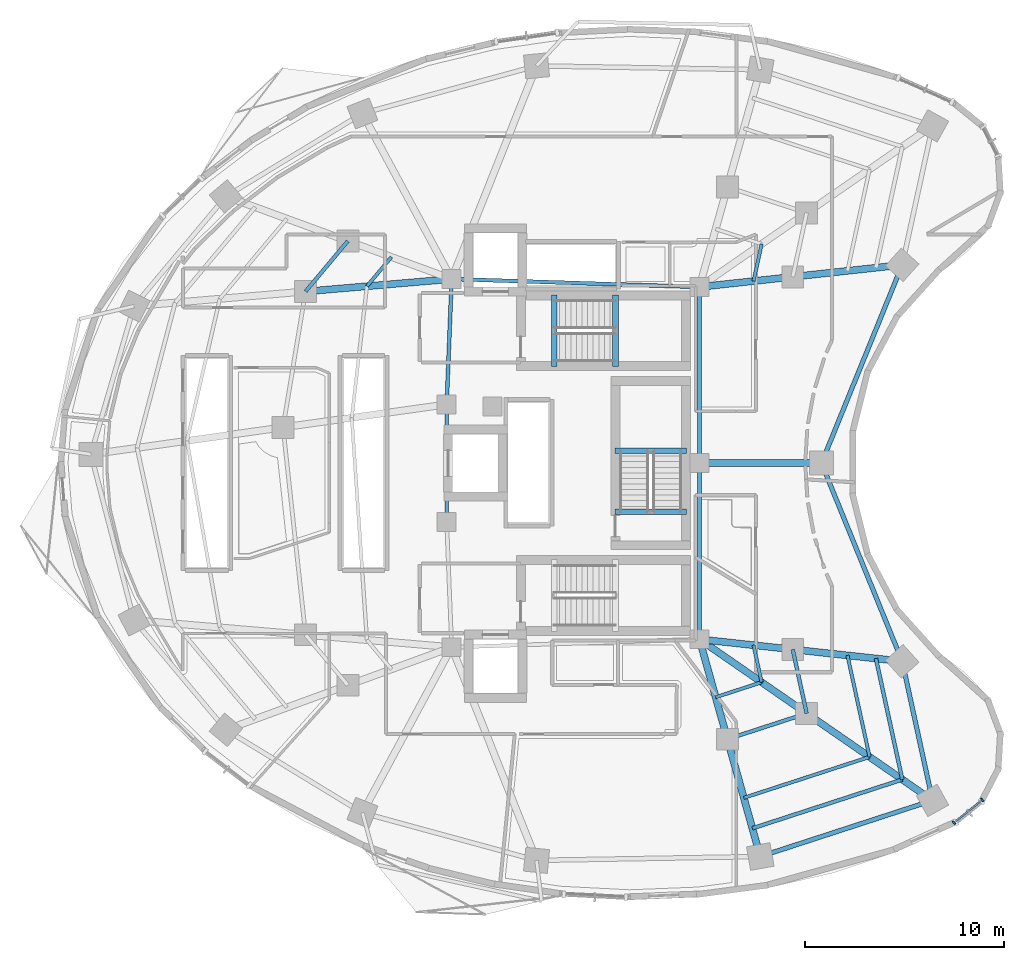
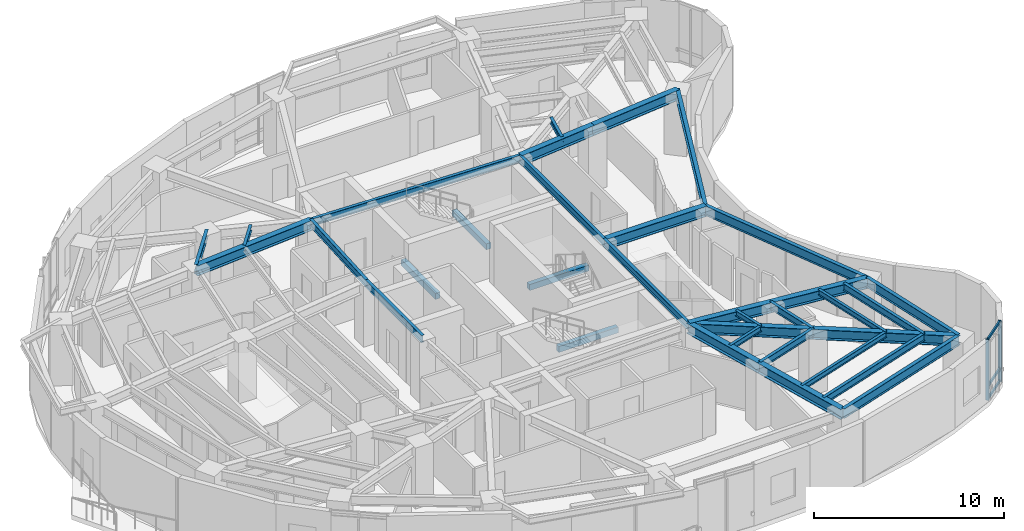
# One storey, part 3 of 14: 34 beams, 5 members, 1 element without a shape of its own.
"""IFC4 building model written with IfcOpenShell, lengths in metres."""

from ifc_helpers import new_model, si_unit, direction, frame, origin, origin_2d, place, context, subcontext, project, spatial, rectangle, i_section, extrude, material, layer, layer_set, material_profile, profile_set, type_object, element, aggregate, save


model = new_model("IFC4")

# Units and contexts
model_context = context("Model", 3, precision=1e-05, world=origin(), true_north=direction((0.0, 1.0)))
body_context = subcontext(model_context, "Body", "Model", "MODEL_VIEW")
ifc_project = project(units=[si_unit("LENGTHUNIT", "METRE"), si_unit("AREAUNIT", "SQUARE_METRE"), si_unit("VOLUMEUNIT", "CUBIC_METRE"), si_unit("PLANEANGLEUNIT", "RADIAN"), si_unit("MASSUNIT", "GRAM", prefix="KILO")], contexts=[model_context])

# Site, building, storey
site_placement = place(None, origin())
site = spatial("IfcSite", under=ifc_project, at=site_placement, CompositionType="ELEMENT")
building_placement = place(site_placement, origin())
building = spatial("IfcBuilding", under=site, at=building_placement, Name="Korentha Bioscience Tower", CompositionType="ELEMENT")
storey_placement = place(building_placement, frame((0.0, 0.0, 90.0)))
storey = spatial("IfcBuildingStorey", under=building, at=storey_placement, Name="L20", CompositionType="ELEMENT", Elevation=90.0)

# Beams
ifc_material_1 = material(Name="Concrete C50", Category="concrete")
ifc_material_profile_1 = material_profile(ifc_material_1, rectangle(XDim=0.280029296875, YDim=0.3798828125, at=origin_2d()), Name="Concrete C50")
ifc_profile_set_1 = profile_set([ifc_material_profile_1], Name="Concrete C50 (ST-HB380)")
beam_type_1 = type_object("IfcBeamType", Name="Concrete Stair Header Beam RC 280x380", PredefinedType="BEAM", material=ifc_profile_set_1)
for number, where, z_axis, x_axis, name in (
    (1, (30.25, 31.85009765625, -0.18994140625), (0.0, 1.0, 0.0), (-1.0, 0.0, 0.0), "L20 ST-1 Concrete Stair Header Beam"),
    (2, (33.330078125, 31.85009765625, 1.909912109375), (0.0, 1.0, 0.0), (-1.0, 0.0, 0.0), "L20 ST-1 Half-Landing Header Beam 1"),
    (3, (36.89990234375, 24.550048828125, -0.18994140625), (-1.0, 0.0, 0.0), (0.0, -1.0, 0.0), "L20 ST-3 Concrete Stair Header Beam"),
    (4, (36.89990234375, 27.6298828125, 1.909912109375), (-1.0, 0.0, 0.0), (0.0, -1.0, 0.0), "L20 ST-3 Half-Landing Header Beam 1"),
):
    element("IfcBeam", number, at=place(storey_placement, frame(where, z_axis=z_axis, x_axis=x_axis)), inside=storey, type_object=beam_type_1, Name=name, PredefinedType="BEAM", context=body_context, shape_type="SweptSolid", body=[
        extrude(rectangle(XDim=0.280029296875, YDim=0.3798828125, at=origin_2d()), origin(), (0.0, 0.0, 1.0), 3.599853515625),
    ])
ifc_material_2 = material(Name="Steel S355", Category="steel")
ifc_material_profile_2 = material_profile(ifc_material_2, i_section(OverallWidth=0.18994140625, OverallDepth=0.45703125, WebThickness=0.009033203125, FlangeThickness=0.014404296875, at=origin_2d()), Name="Steel S355")
ifc_profile_set_2 = profile_set([ifc_material_profile_2], Name="Steel S355 (MB-460)")
beam_type_2 = type_object("IfcBeamType", Name="Mid-Ring Tie Girder W460x74", PredefinedType="BEAM", material=ifc_profile_set_2)
beam_1_placement = place(storey_placement, frame((19.882568359375, 38.158935546875, 3.67138671875), z_axis=(-0.642121371708, -0.766602989817, 0.0), x_axis=(0.766602989817, -0.642121371708, 0.0)))
element("IfcBeam", 5, at=beam_1_placement, inside=storey, type_object=beam_type_2, Name="L20 Mid-Ring Tie Girder 05", PredefinedType="BEAM", context=body_context, shape_type="SweptSolid", body=[
    extrude(i_section(OverallWidth=0.18994140625, OverallDepth=0.45703125, WebThickness=0.009033203125, FlangeThickness=0.014404296875, at=origin_2d()), origin(), (0.0, 0.0, 1.0), 3.306640625),
])
beam_2_placement = place(storey_placement, frame((38.954833984375, 13.129150390625, 3.67138671875), z_axis=(0.95087582253, 0.309572560361, 0.0), x_axis=(-0.309572560361, 0.95087582253, 0.0)))
element("IfcBeam", 6, at=beam_2_placement, inside=storey, type_object=beam_type_2, Name="L20 Mid-Ring Tie Girder 12", PredefinedType="BEAM", context=body_context, shape_type="SweptSolid", body=[
    extrude(i_section(OverallWidth=0.18994140625, OverallDepth=0.45703125, WebThickness=0.009033203125, FlangeThickness=0.014404296875, at=origin_2d()), origin(), (0.0, 0.0, 1.0), 4.186767578125),
])
beam_3_placement = place(storey_placement, frame((42.93603515625, 14.42529296875, 3.67138671875), z_axis=(-0.212928773299, 0.977067724112, 0.0), x_axis=(-0.977067724112, -0.212928773299, 0.0)))
element("IfcBeam", 7, at=beam_3_placement, inside=storey, type_object=beam_type_2, Name="L20 Mid-Ring Tie Girder 13", PredefinedType="BEAM", context=body_context, shape_type="SweptSolid", body=[
    extrude(i_section(OverallWidth=0.18994140625, OverallDepth=0.45703125, WebThickness=0.009033203125, FlangeThickness=0.014404296875, at=origin_2d()), origin(), (0.0, 0.0, 1.0), 3.28955078125),
])
beam_4_placement = place(storey_placement, frame((37.550048828125, 35.85009765625, 3.67138671875), z_axis=(-0.999484526071, 0.032104238723, 0.0), x_axis=(-0.032104238723, -0.999484526071, 0.0)))
element("IfcBeam", 8, at=beam_4_placement, inside=storey, type_object=beam_type_2, Name="L20 Core Ring Tie Girder 01", PredefinedType="BEAM", context=body_context, shape_type="SweptSolid", body=[
    extrude(i_section(OverallWidth=0.18994140625, OverallDepth=0.45703125, WebThickness=0.009033203125, FlangeThickness=0.014404296875, at=origin_2d()), origin(), (0.0, 0.0, 1.0), 12.456298828125),
])
beam_5_placement = place(storey_placement, frame((25.10009765625, 36.25, 3.67138671875), z_axis=(-0.039651025576, -0.999213588864, 0.0), x_axis=(0.999213588864, -0.039651025576, 0.0)))
element("IfcBeam", 9, at=beam_5_placement, inside=storey, type_object=beam_type_2, Name="L20 Core Ring Tie Girder 02", PredefinedType="BEAM", context=body_context, shape_type="SweptSolid", body=[
    extrude(i_section(OverallWidth=0.18994140625, OverallDepth=0.45703125, WebThickness=0.009033203125, FlangeThickness=0.014404296875, at=origin_2d()), origin(), (0.0, 0.0, 1.0), 6.304931640625),
])
beam_6_placement = place(storey_placement, frame((24.85009765625, 29.949951171875, 3.67138671875), z_axis=(0.0, -1.0, 0.0), x_axis=(1.0, 0.0, 0.0)))
element("IfcBeam", 10, at=beam_6_placement, inside=storey, type_object=beam_type_2, Name="L20 Core Ring Tie Girder 03", PredefinedType="BEAM", context=body_context, shape_type="SweptSolid", body=[
    extrude(i_section(OverallWidth=0.18994140625, OverallDepth=0.45703125, WebThickness=0.009033203125, FlangeThickness=0.014404296875, at=origin_2d()), origin(), (0.0, 0.0, 1.0), 5.89990234375),
])
for number, where, z_axis, x_axis, name in (
    (11, (37.550048828125, 18.14990234375, 3.67138671875), (0.0, 1.0, 0.0), (-1.0, 0.0, 0.0), "L20 Core Ring Tie Girder 06"),
    (12, (37.550048828125, 27.0, 3.67138671875), (0.0, 1.0, 0.0), (-1.0, 0.0, 0.0), "L20 Core Ring Tie Girder 07"),
):
    element("IfcBeam", number, at=place(storey_placement, frame(where, z_axis=z_axis, x_axis=x_axis)), inside=storey, type_object=beam_type_2, Name=name, PredefinedType="BEAM", context=body_context, shape_type="SweptSolid", body=[
        extrude(i_section(OverallWidth=0.18994140625, OverallDepth=0.45703125, WebThickness=0.009033203125, FlangeThickness=0.014404296875, at=origin_2d()), origin(), (0.0, 0.0, 1.0), 8.85009765625),
    ])

# Curtain wall, members
ifc_material_3 = material(Name="Thermally Broken Aluminium Frame", Category="aluminium")
ifc_layer = layer(ifc_material_3, 0.219970703125, Name="Thermally Broken Aluminium Frame")
ifc_layer_set = layer_set([ifc_layer], Name="Thermally Broken Aluminium Frame (CW-T2)")
curtain_wall_type = type_object("IfcCurtainWallType", Name="Solar-Screened Lab Unitised Curtain Wall CW-T2", PredefinedType="USERDEFINED", material=ifc_layer_set)
curtain_wall_placement = place(storey_placement, origin())
curtain_wall = element("IfcCurtainWall", 13, at=curtain_wall_placement, inside=storey, type_object=curtain_wall_type, Name="L20 Curtain Wall 37", ObjectType="UNITISED", PredefinedType="USERDEFINED")
ifc_material_4 = material(Name="Anodised Aluminium 6063-T6", Category="aluminium")
ifc_material_profile_3 = material_profile(ifc_material_4, rectangle(XDim=0.090087890625, YDim=0.199951171875, at=origin_2d()), Name="Anodised Aluminium 6063-T6")
ifc_profile_set_3 = profile_set([ifc_material_profile_3], Name="Anodised Aluminium 6063-T6 (CW-MUL)")
member_type_1 = type_object("IfcMemberType", Name="Mullion RECT 90x200", PredefinedType="MULLION", material=ifc_profile_set_3)
member_1_placement = place(storey_placement, frame((50.337158203125, 8.931884765625, 0.0), z_axis=(0.0, 0.0, 1.0), x_axis=(0.777315301098, 0.629111216463, 0.0)))
member_1 = element("IfcMember", 14, at=member_1_placement, type_object=member_type_1, Name="CW-L20-37 Mullion 1", PredefinedType="MULLION", context=body_context, shape_type="SweptSolid", body=[
    extrude(rectangle(XDim=0.090087890625, YDim=0.199951171875, at=origin_2d()), origin(), (0.0, 0.0, 1.0), 3.89990234375),
])
member_2_placement = place(storey_placement, frame((51.7578125, 10.08154296875, 0.0), z_axis=(0.0, 0.0, 1.0), x_axis=(0.777315301098, 0.629111216463, 0.0)))
member_2 = element("IfcMember", 15, at=member_2_placement, type_object=member_type_1, Name="CW-L20-37 Mullion 2", PredefinedType="MULLION", context=body_context, shape_type="SweptSolid", body=[
    extrude(rectangle(XDim=0.090087890625, YDim=0.199951171875, at=origin_2d()), origin(), (0.0, 0.0, 1.0), 3.89990234375),
])

# Beams
ifc_material_profile_4 = material_profile(ifc_material_2, i_section(OverallWidth=0.22802734375, OverallDepth=0.60791015625, WebThickness=0.01123046875, FlangeThickness=0.017333984375, at=origin_2d()), Name="Steel S355")
ifc_profile_set_4 = profile_set([ifc_material_profile_4], Name="Steel S355 (SB-610)")
beam_type_3 = type_object("IfcBeamType", Name="Perimeter Ring Spandrel Girder W610x113", PredefinedType="SPANDREL", material=ifc_profile_set_4)
beam_7_placement = place(storey_placement, frame((40.604248046875, 7.235107421875, 3.595947265625), z_axis=(0.950867758759, 0.309597327755, 0.0), x_axis=(-0.309597327755, 0.950867758759, 0.0)))
element("IfcBeam", 16, at=beam_7_placement, inside=storey, type_object=beam_type_3, Name="L20 Perimeter Spandrel Girder 12", PredefinedType="SPANDREL", context=body_context, shape_type="SweptSolid", body=[
    extrude(i_section(OverallWidth=0.22802734375, OverallDepth=0.60791015625, WebThickness=0.01123046875, FlangeThickness=0.017333984375, at=origin_2d()), origin(), (0.0, 0.0, 1.0), 9.101806640625),
])
beam_8_placement = place(storey_placement, frame((49.2587890625, 10.052978515625, 3.595947265625), z_axis=(-0.212927102256, 0.977068088275, 0.0), x_axis=(-0.977068088275, -0.212927102256, 0.0)))
element("IfcBeam", 17, at=beam_8_placement, inside=storey, type_object=beam_type_3, Name="L20 Perimeter Spandrel Girder 13", PredefinedType="SPANDREL", context=body_context, shape_type="SweptSolid", body=[
    extrude(i_section(OverallWidth=0.22802734375, OverallDepth=0.60791015625, WebThickness=0.01123046875, FlangeThickness=0.017333984375, at=origin_2d()), origin(), (0.0, 0.0, 1.0), 7.1513671875),
])
for number, where, z_axis, x_axis, name in (
    (18, (47.736083984375, 17.040283203125, 3.595947265625), (-0.37709856037, 0.926173134876, 0.0), (-0.926173134876, -0.37709856037, 0.0), "L20 Perimeter Spandrel Girder 14"),
    (19, (43.680908203125, 27.0, 3.595947265625), (0.37709856037, 0.926173134876, 0.0), (-0.926173134876, 0.37709856037, 0.0), "L20 Perimeter Spandrel Girder 15"),
):
    element("IfcBeam", number, at=place(storey_placement, frame(where, z_axis=z_axis, x_axis=x_axis)), inside=storey, type_object=beam_type_3, Name=name, PredefinedType="SPANDREL", context=body_context, shape_type="SweptSolid", body=[
        extrude(i_section(OverallWidth=0.22802734375, OverallDepth=0.60791015625, WebThickness=0.01123046875, FlangeThickness=0.017333984375, at=origin_2d()), origin(), (0.0, 0.0, 1.0), 10.753662109375),
    ])
ifc_material_profile_5 = material_profile(ifc_material_2, i_section(OverallWidth=0.18994140625, OverallDepth=0.45703125, WebThickness=0.009033203125, FlangeThickness=0.014404296875, at=origin_2d()), Name="Steel S355")
ifc_profile_set_5 = profile_set([ifc_material_profile_5], Name="Steel S355 (RB-460)")
beam_type_4 = type_object("IfcBeamType", Name="Radial Laboratory Beam W460x74", PredefinedType="BEAM", material=ifc_profile_set_5)
beam_9_placement = place(storey_placement, frame((40.20849609375, 8.64990234375, 3.67138671875), z_axis=(0.950866789802, 0.3096003037, 0.0), x_axis=(-0.3096003037, 0.950866789802, 0.0)))
element("IfcBeam", 20, at=beam_9_placement, inside=storey, type_object=beam_type_4, Name="L20 Secondary Floor Beam JSTO-12", PredefinedType="BEAM", context=body_context, shape_type="SweptSolid", body=[
    extrude(i_section(OverallWidth=0.18994140625, OverallDepth=0.45703125, WebThickness=0.009033203125, FlangeThickness=0.014404296875, at=origin_2d()), origin(), (0.0, 0.0, 1.0), 7.921875),
])
beam_10_placement = place(storey_placement, frame((47.7412109375, 11.1025390625, 3.67138671875), z_axis=(-0.21290837934, 0.977072168269, 0.0), x_axis=(-0.977072168269, -0.21290837934, 0.0)))
element("IfcBeam", 21, at=beam_10_placement, inside=storey, type_object=beam_type_4, Name="L20 Secondary Floor Beam JSTO-13", PredefinedType="BEAM", context=body_context, shape_type="SweptSolid", body=[
    extrude(i_section(OverallWidth=0.18994140625, OverallDepth=0.45703125, WebThickness=0.009033203125, FlangeThickness=0.014404296875, at=origin_2d()), origin(), (0.0, 0.0, 1.0), 6.224365234375),
])
ifc_material_profile_6 = material_profile(ifc_material_2, i_section(OverallWidth=0.35009765625, OverallDepth=0.64990234375, WebThickness=0.01611328125, FlangeThickness=0.02490234375, at=origin_2d()), Name="Steel S355")
ifc_profile_set_6 = profile_set([ifc_material_profile_6], Name="Steel S355 (RB-650)")
beam_type_5 = type_object("IfcBeamType", Name="Radial Laboratory Girder CVS 650x208", PredefinedType="BEAM", material=ifc_profile_set_6)
beam_11_placement = place(storey_placement, frame((25.10009765625, 36.25, 3.574951171875), z_axis=(-0.996383934197, -0.084965026183, 0.0), x_axis=(0.084965026183, -0.996383934197, 0.0)))
element("IfcBeam", 22, at=beam_11_placement, inside=storey, type_object=beam_type_5, Name="L20 Inner Radial Girder 06", PredefinedType="BEAM", context=body_context, shape_type="SweptSolid", body=[
    extrude(i_section(OverallWidth=0.35009765625, OverallDepth=0.64990234375, WebThickness=0.01611328125, FlangeThickness=0.02490234375, at=origin_2d()), origin(), (0.0, 0.0, 1.0), 7.367431640625),
])
beam_12_placement = place(storey_placement, frame((37.550048828125, 18.14990234375, 3.574951171875), z_axis=(0.269447542125, -0.96301506844, 0.0), x_axis=(0.96301506844, 0.269447542125, 0.0)))
element("IfcBeam", 23, at=beam_12_placement, inside=storey, type_object=beam_type_5, Name="L20 Inner Radial Girder 12", PredefinedType="BEAM", context=body_context, shape_type="SweptSolid", body=[
    extrude(i_section(OverallWidth=0.35009765625, OverallDepth=0.64990234375, WebThickness=0.01611328125, FlangeThickness=0.02490234375, at=origin_2d()), origin(), (0.0, 0.0, 1.0), 5.213623046875),
])
beam_13_placement = place(storey_placement, frame((38.954833984375, 13.129150390625, 3.574951171875), z_axis=(0.269490843458, -0.963002951861, 0.0), x_axis=(0.963002951861, 0.269490843458, 0.0)))
element("IfcBeam", 24, at=beam_13_placement, inside=storey, type_object=beam_type_5, Name="L20 Outer Radial Girder 12", PredefinedType="BEAM", context=body_context, shape_type="SweptSolid", body=[
    extrude(i_section(OverallWidth=0.35009765625, OverallDepth=0.64990234375, WebThickness=0.01611328125, FlangeThickness=0.02490234375, at=origin_2d()), origin(), (0.0, 0.0, 1.0), 6.120361328125),
])
beam_14_placement = place(storey_placement, frame((37.550048828125, 18.14990234375, 3.574951171875), z_axis=(0.822488699387, -0.568781451333, 0.0), x_axis=(0.568781451333, 0.822488699387, 0.0)))
element("IfcBeam", 25, at=beam_14_placement, inside=storey, type_object=beam_type_5, Name="L20 Inner Radial Girder 13", PredefinedType="BEAM", context=body_context, shape_type="SweptSolid", body=[
    extrude(i_section(OverallWidth=0.35009765625, OverallDepth=0.64990234375, WebThickness=0.01611328125, FlangeThickness=0.02490234375, at=origin_2d()), origin(), (0.0, 0.0, 1.0), 6.54833984375),
])
beam_15_placement = place(storey_placement, frame((42.93603515625, 14.42529296875, 3.574951171875), z_axis=(0.822495056204, -0.568772258922, 0.0), x_axis=(0.568772258922, 0.822495056204, 0.0)))
element("IfcBeam", 26, at=beam_15_placement, inside=storey, type_object=beam_type_5, Name="L20 Outer Radial Girder 13", PredefinedType="BEAM", context=body_context, shape_type="SweptSolid", body=[
    extrude(i_section(OverallWidth=0.35009765625, OverallDepth=0.64990234375, WebThickness=0.01611328125, FlangeThickness=0.02490234375, at=origin_2d()), origin(), (0.0, 0.0, 1.0), 7.687255859375),
])
beam_16_placement = place(storey_placement, frame((37.550048828125, 18.14990234375, 3.574951171875), z_axis=(0.994117092476, -0.108310694058, 0.0), x_axis=(0.108310694058, 0.994117092476, 0.0)))
element("IfcBeam", 27, at=beam_16_placement, inside=storey, type_object=beam_type_5, Name="L20 Inner Radial Girder 14", PredefinedType="BEAM", context=body_context, shape_type="SweptSolid", body=[
    extrude(i_section(OverallWidth=0.35009765625, OverallDepth=0.64990234375, WebThickness=0.01611328125, FlangeThickness=0.02490234375, at=origin_2d()), origin(), (0.0, 0.0, 1.0), 4.71337890625),
])
beam_17_placement = place(storey_placement, frame((42.235595703125, 17.639404296875, 3.574951171875), z_axis=(0.994120325557, -0.108281015487, 0.0), x_axis=(0.108281015487, 0.994120325557, 0.0)))
element("IfcBeam", 28, at=beam_17_placement, inside=storey, type_object=beam_type_5, Name="L20 Outer Radial Girder 14", PredefinedType="BEAM", context=body_context, shape_type="SweptSolid", body=[
    extrude(i_section(OverallWidth=0.35009765625, OverallDepth=0.64990234375, WebThickness=0.01611328125, FlangeThickness=0.02490234375, at=origin_2d()), origin(), (0.0, 0.0, 1.0), 5.532958984375),
])
beam_18_placement = place(storey_placement, frame((37.550048828125, 27.0, 3.574951171875), z_axis=(1.0, 0.0, 0.0), x_axis=(0.0, 1.0, 0.0)))
element("IfcBeam", 29, at=beam_18_placement, inside=storey, type_object=beam_type_5, Name="L20 Radial Girder 15", PredefinedType="BEAM", context=body_context, shape_type="SweptSolid", body=[
    extrude(i_section(OverallWidth=0.35009765625, OverallDepth=0.64990234375, WebThickness=0.01611328125, FlangeThickness=0.02490234375, at=origin_2d()), origin(), (0.0, 0.0, 1.0), 6.130859375),
])
beam_19_placement = place(storey_placement, frame((37.550048828125, 35.85009765625, 3.574951171875), z_axis=(0.994117092476, 0.108310694058, 0.0), x_axis=(-0.108310694058, 0.994117092476, 0.0)))
element("IfcBeam", 30, at=beam_19_placement, inside=storey, type_object=beam_type_5, Name="L20 Inner Radial Girder 16", PredefinedType="BEAM", context=body_context, shape_type="SweptSolid", body=[
    extrude(i_section(OverallWidth=0.35009765625, OverallDepth=0.64990234375, WebThickness=0.01611328125, FlangeThickness=0.02490234375, at=origin_2d()), origin(), (0.0, 0.0, 1.0), 4.71337890625),
])
beam_20_placement = place(storey_placement, frame((42.235595703125, 36.360595703125, 3.574951171875), z_axis=(0.994120325557, 0.108281015487, 0.0), x_axis=(-0.108281015487, 0.994120325557, 0.0)))
element("IfcBeam", 31, at=beam_20_placement, inside=storey, type_object=beam_type_5, Name="L20 Outer Radial Girder 16", PredefinedType="BEAM", context=body_context, shape_type="SweptSolid", body=[
    extrude(i_section(OverallWidth=0.35009765625, OverallDepth=0.64990234375, WebThickness=0.01611328125, FlangeThickness=0.02490234375, at=origin_2d()), origin(), (0.0, 0.0, 1.0), 5.532958984375),
])
ifc_material_profile_7 = material_profile(ifc_material_2, i_section(OverallWidth=0.1708984375, OverallDepth=0.35498046875, WebThickness=0.007080078125, FlangeThickness=0.01171875, at=origin_2d()), Name="Steel S355")
ifc_profile_set_7 = profile_set([ifc_material_profile_7], Name="Steel S355 (JB-360)")
beam_type_6 = type_object("IfcBeamType", Name="Secondary Laboratory Joist W360x51", PredefinedType="JOIST", material=ifc_profile_set_7)
beam_21_placement = place(storey_placement, frame((22.073974609375, 37.357177734375, 3.722412109375), z_axis=(-0.64218549873, -0.766549271229, 0.0), x_axis=(0.766549271229, -0.64218549873, 0.0)))
element("IfcBeam", 32, at=beam_21_placement, inside=storey, type_object=beam_type_6, Name="L20 Inner Bay Joist 05", PredefinedType="JOIST", context=body_context, shape_type="SweptSolid", body=[
    extrude(i_section(OverallWidth=0.1708984375, OverallDepth=0.35498046875, WebThickness=0.007080078125, FlangeThickness=0.01171875, at=origin_2d()), origin(), (0.0, 0.0, 1.0), 1.91796875),
])
beam_22_placement = place(storey_placement, frame((39.779541015625, 10.18212890625, 3.722412109375), z_axis=(0.950864890997, 0.309606135387, 0.0), x_axis=(-0.309606135387, 0.950864890997, 0.0)))
element("IfcBeam", 33, at=beam_22_placement, inside=storey, type_object=beam_type_6, Name="L20 Secondary Floor Beam JST-12", PredefinedType="JOIST", context=body_context, shape_type="SweptSolid", body=[
    extrude(i_section(OverallWidth=0.1708984375, OverallDepth=0.35498046875, WebThickness=0.007080078125, FlangeThickness=0.01171875, at=origin_2d()), origin(), (0.0, 0.0, 1.0), 6.644287109375),
])
beam_23_placement = place(storey_placement, frame((38.36474609375, 15.23779296875, 3.722412109375), z_axis=(0.950852158547, 0.30964523666, 0.0), x_axis=(-0.30964523666, 0.950852158547, 0.0)))
element("IfcBeam", 34, at=beam_23_placement, inside=storey, type_object=beam_type_6, Name="L20 Inner Bay Joist 12", PredefinedType="JOIST", context=body_context, shape_type="SweptSolid", body=[
    extrude(i_section(OverallWidth=0.1708984375, OverallDepth=0.35498046875, WebThickness=0.007080078125, FlangeThickness=0.01171875, at=origin_2d()), origin(), (0.0, 0.0, 1.0), 2.428466796875),
])
beam_24_placement = place(storey_placement, frame((46.097412109375, 12.2392578125, 3.722412109375), z_axis=(-0.212932493609, 0.977066913351, 0.0), x_axis=(-0.977066913351, -0.212932493609, 0.0)))
element("IfcBeam", 35, at=beam_24_placement, inside=storey, type_object=beam_type_6, Name="L20 Secondary Floor Beam JST-13", PredefinedType="JOIST", context=body_context, shape_type="SweptSolid", body=[
    extrude(i_section(OverallWidth=0.1708984375, OverallDepth=0.35498046875, WebThickness=0.007080078125, FlangeThickness=0.01171875, at=origin_2d()), origin(), (0.0, 0.0, 1.0), 5.22021484375),
])
for number, where, z_axis, x_axis, name in (
    (36, (40.673828125, 15.98974609375, 3.722412109375), (-0.212918344001, 0.977069996872, 0.0), (-0.977069996872, -0.212918344001, 0.0), "L20 Inner Bay Joist 13"),
    (37, (40.267578125, 36.14599609375, 3.722412109375), (0.212918344001, 0.977069996872, 0.0), (-0.977069996872, 0.212918344001, 0.0), "L20 Inner Bay Joist 16"),
):
    element("IfcBeam", number, at=place(storey_placement, frame(where, z_axis=z_axis, x_axis=x_axis)), inside=storey, type_object=beam_type_6, Name=name, PredefinedType="JOIST", context=body_context, shape_type="SweptSolid", body=[
        extrude(i_section(OverallWidth=0.1708984375, OverallDepth=0.35498046875, WebThickness=0.007080078125, FlangeThickness=0.01171875, at=origin_2d()), origin(), (0.0, 0.0, 1.0), 1.907958984375),
    ])

# Member
ifc_material_profile_8 = material_profile(ifc_material_4, rectangle(XDim=0.090087890625, YDim=0.159912109375, at=origin_2d()), Name="Anodised Aluminium 6063-T6")
ifc_profile_set_8 = profile_set([ifc_material_profile_8], Name="Anodised Aluminium 6063-T6 (CW-TRN)")
member_type_2 = type_object("IfcMemberType", Name="Transom RECT 90x160", PredefinedType="USERDEFINED", material=ifc_profile_set_8)
member_3_placement = place(storey_placement, frame((50.3720703125, 8.960205078125, 0.044921875), z_axis=(0.777333214738, 0.629089082137, 0.0), x_axis=(-0.629089082137, 0.777333214738, 0.0)))
member_3 = element("IfcMember", 38, at=member_3_placement, type_object=member_type_2, Name="CW-L20-37 Bay 1 Transom 1", ObjectType="TRANSOM", PredefinedType="USERDEFINED", context=body_context, shape_type="SweptSolid", body=[
    extrude(rectangle(XDim=0.090087890625, YDim=0.159912109375, at=origin_2d()), origin(), (0.0, 0.0, 1.0), 1.737548828125),
])

member_4_placement = place(storey_placement, frame((50.3720703125, 8.960205078125, 0.85009765625), z_axis=(0.777333214738, 0.629089082137, 0.0), x_axis=(-0.629089082137, 0.777333214738, 0.0)))
member_4 = element("IfcMember", 39, at=member_4_placement, type_object=member_type_2, Name="CW-L20-37 Bay 1 Transom 2", ObjectType="TRANSOM", PredefinedType="USERDEFINED", context=body_context, shape_type="SweptSolid", body=[
    extrude(rectangle(XDim=0.090087890625, YDim=0.159912109375, at=origin_2d()), origin(), (0.0, 0.0, 1.0), 1.737548828125),
])

member_5_placement = place(storey_placement, frame((50.3720703125, 8.960205078125, 3.85498046875), z_axis=(0.777333214738, 0.629089082137, 0.0), x_axis=(-0.629089082137, 0.777333214738, 0.0)))
member_5 = element("IfcMember", 40, at=member_5_placement, type_object=member_type_2, Name="CW-L20-37 Bay 1 Transom 3", ObjectType="TRANSOM", PredefinedType="USERDEFINED", context=body_context, shape_type="SweptSolid", body=[
    extrude(rectangle(XDim=0.090087890625, YDim=0.159912109375, at=origin_2d()), origin(), (0.0, 0.0, 1.0), 1.737548828125),
])

aggregate(curtain_wall, [member_1, member_2, member_3, member_4, member_5])

save(model, "model.ifc")
